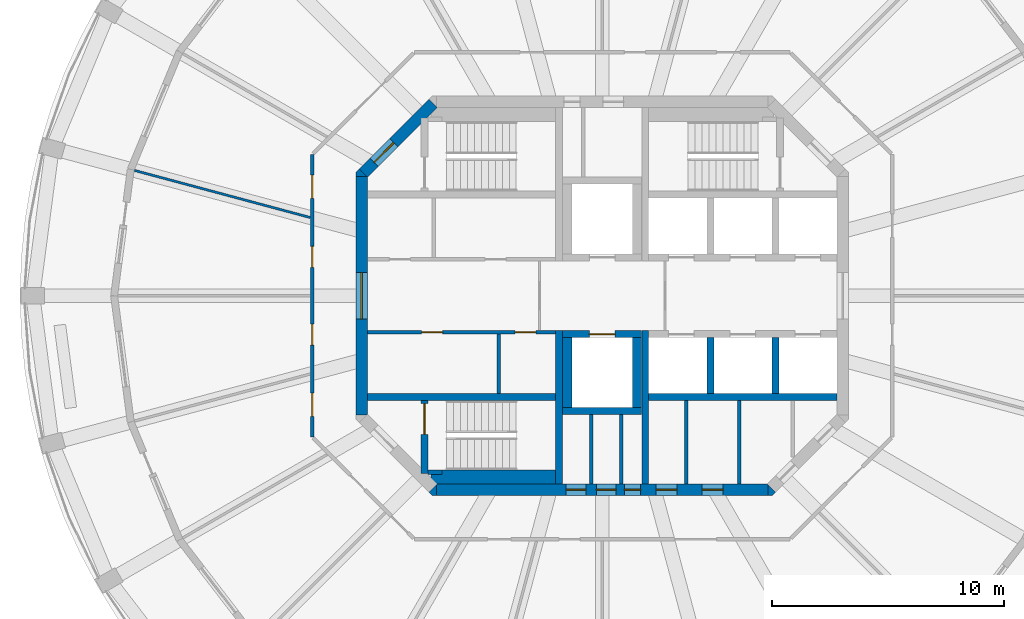
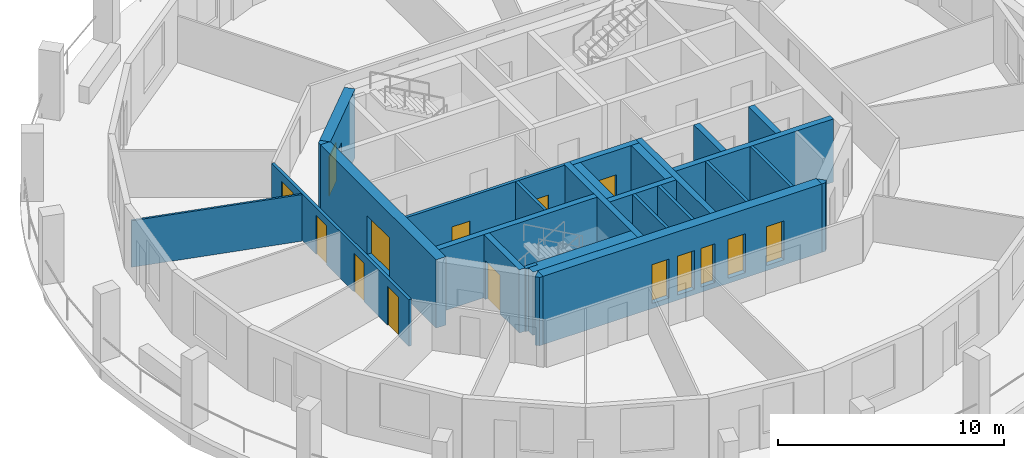
# One storey, part 3 of 9: 27 walls, 15 doors, 15 openings.
"""IFC4 building model written with IfcOpenShell, lengths in metres."""

from ifc_helpers import new_model, si_unit, direction, frame, frame_2d, origin, place, context, subcontext, project, spatial, polyline, rectangle, outline, extrude, material, layer, layer_set, type_object, element, fill, save


model = new_model("IFC4")

# Units and contexts
model_context = context("Model", 3, precision=1e-05, world=origin(), true_north=direction((0.0, 1.0)))
body_context = subcontext(model_context, "Body", "Model", "MODEL_VIEW")
ifc_project = project(units=[si_unit("LENGTHUNIT", "METRE"), si_unit("AREAUNIT", "SQUARE_METRE"), si_unit("VOLUMEUNIT", "CUBIC_METRE"), si_unit("PLANEANGLEUNIT", "RADIAN"), si_unit("MASSUNIT", "GRAM", prefix="KILO")], contexts=[model_context])

# Site, building, storey
site_placement = place(None, origin())
site = spatial("IfcSite", under=ifc_project, at=site_placement, CompositionType="ELEMENT")
building_placement = place(site_placement, origin())
building = spatial("IfcBuilding", under=site, at=building_placement, Name="Torre Triforio", CompositionType="ELEMENT")
storey_placement = place(building_placement, frame((0.0, 0.0, 272.300048828125)))
storey = spatial("IfcBuildingStorey", under=building, at=storey_placement, Name="L63", CompositionType="ELEMENT", Elevation=272.300048828125)

# Walls
ifc_material_1 = material(Name="Concrete C40", Category="concrete")
ifc_layer_1 = layer(ifc_material_1, 0.300048828125)
ifc_layer_set_1 = layer_set([ifc_layer_1], Name="Concrete C40")
wall_type_1 = type_object("IfcWallType", Name="Core wall 300 mm C40 EI 120", PredefinedType="SHEAR", material=ifc_layer_set_1)
for number, where, z_axis, x_axis, name in (
    (1, (-1.85009765625, -8.10009765625, 0.0), (0.0, 0.0, 1.0), (0.0, 1.0, 0.0), "Core wall"),
    (2, (1.85009765625, -8.10009765625, 0.0), (0.0, 0.0, 1.0), (0.0, 1.0, 0.0), "Core wall"),
):
    element("IfcWall", number, at=place(storey_placement, frame(where, z_axis=z_axis, x_axis=x_axis)), inside=storey, type_object=wall_type_1, Name=name, PredefinedType="SHEAR", context=body_context, shape_type="SweptSolid", body=[
        extrude(rectangle(XDim=6.60009765625, YDim=0.300048828125, at=frame_2d((3.300048828125, 0.0))), origin(), (0.0, 0.0, 1.0), 3.419921875),
    ])

# Wall, openings, doors
ifc_layer_2 = layer(ifc_material_1, 0.5)
ifc_layer_set_2 = layer_set([ifc_layer_2], Name="Concrete C40")
wall_type_2 = type_object("IfcWallType", Name="Core wall 500 mm C40 EI 120", PredefinedType="SHEAR", material=ifc_layer_set_2)
wall_1_placement = place(storey_placement, frame((-7.1298828125, -8.35009765625, -0.280029296875), z_axis=(0.0, 0.0, 1.0), x_axis=(1.0, 0.0, 0.0)))
wall_1 = element("IfcWall", 3, at=wall_1_placement, inside=storey, type_object=wall_type_2, Name="Core wall", PredefinedType="SHEAR", context=body_context, shape_type="SweptSolid", body=[
    extrude(rectangle(XDim=14.259765625, YDim=0.5, at=frame_2d((7.1298828125, 0.0))), origin(), (0.0, 0.0, 1.0), 3.699951171875),
])
opening_1_placement = place(wall_1_placement, frame((8.080078125, 0.0, 0.280029296875)))
opening_1 = element("IfcOpeningElement", 4, at=opening_1_placement, cuts=wall_1, Name="Opening RISER-S", PredefinedType="OPENING", context=body_context, shape_type="SweptSolid", body=[
    extrude(rectangle(XDim=0.699951171875, YDim=2.10009765625, at=frame_2d((0.35009765625, 1.050048828125))), frame((0.0, 0.260009765625, 0.0), z_axis=(0.0, -1.0, 0.0), x_axis=(1.0, 0.0, 0.0)), (0.0, 0.0, 1.0), 0.52001953125),
])
opening_2_placement = place(wall_1_placement, frame((5.580078125, 0.0, 0.280029296875)))
opening_2 = element("IfcOpeningElement", 5, at=opening_2_placement, cuts=wall_1, Name="Opening SW-01A", PredefinedType="OPENING", context=body_context, shape_type="SweptSolid", body=[
    extrude(rectangle(XDim=0.85009765625, YDim=2.10009765625, at=frame_2d((0.425048828125, 1.050048828125))), frame((0.0, 0.260009765625, 0.0), z_axis=(0.0, -1.0, 0.0), x_axis=(1.0, 0.0, 0.0)), (0.0, 0.0, 1.0), 0.52001953125),
])
opening_3_placement = place(wall_1_placement, frame((6.8798828125, 0.0, 0.280029296875)))
opening_3 = element("IfcOpeningElement", 6, at=opening_3_placement, cuts=wall_1, Name="Opening SW-02", PredefinedType="OPENING", context=body_context, shape_type="SweptSolid", body=[
    extrude(rectangle(XDim=0.85009765625, YDim=2.10009765625, at=frame_2d((0.425048828125, 1.050048828125))), frame((0.0, 0.260009765625, 0.0), z_axis=(0.0, -1.0, 0.0), x_axis=(1.0, 0.0, 0.0)), (0.0, 0.0, 1.0), 0.52001953125),
])
opening_4_placement = place(wall_1_placement, frame((9.445068359375, 0.0, 0.280029296875)))
opening_4 = element("IfcOpeningElement", 7, at=opening_4_placement, cuts=wall_1, Name="Opening SE-01A", PredefinedType="OPENING", context=body_context, shape_type="SweptSolid", body=[
    extrude(rectangle(XDim=0.89990234375, YDim=2.10009765625, at=frame_2d((0.449951171875, 1.050048828125))), frame((0.0, 0.260009765625, 0.0), z_axis=(0.0, -1.0, 0.0), x_axis=(1.0, 0.0, 0.0)), (0.0, 0.0, 1.0), 0.52001953125),
])
opening_5_placement = place(wall_1_placement, frame((11.430908203125, 0.0, 0.280029296875)))
opening_5 = element("IfcOpeningElement", 8, at=opening_5_placement, cuts=wall_1, Name="Opening SE-02", PredefinedType="OPENING", context=body_context, shape_type="SweptSolid", body=[
    extrude(rectangle(XDim=0.89990234375, YDim=2.10009765625, at=frame_2d((0.449951171875, 1.050048828125))), frame((0.0, 0.260009765625, 0.0), z_axis=(0.0, -1.0, 0.0), x_axis=(1.0, 0.0, 0.0)), (0.0, 0.0, 1.0), 0.52001953125),
])
ifc_material_2 = material(Name="Hollow metal fire door leaf")
door_type_1 = type_object("IfcDoorType", Name="Riser door 700 x 2100 EI 60", OperationType="NOTDEFINED", PredefinedType="DOOR", material=ifc_material_2)
door_1_placement = place(opening_1_placement, origin())
door_1 = element("IfcDoor", 9, at=door_1_placement, inside=storey, type_object=door_type_1, Name="Core door RISER-S", OperationType="SINGLE_SWING_RIGHT", OverallHeight=2.10009765625, OverallWidth=0.699951171875, PredefinedType="DOOR", context=body_context, shape_type="SweptSolid", body=[
    extrude(rectangle(XDim=0.699951171875, YDim=2.10009765625, at=frame_2d((0.35009765625, 1.050048828125))), frame((0.0, 0.02490234375, 0.0), z_axis=(0.0, -1.0, 0.0), x_axis=(1.0, 0.0, 0.0)), (0.0, 0.0, 1.0), 0.050048828125),
])
fill(opening_1, door_1)
door_type_2 = type_object("IfcDoorType", Name="Room door 850 x 2100 EI 60", OperationType="NOTDEFINED", PredefinedType="DOOR", material=ifc_material_2)
door_2_placement = place(opening_2_placement, origin())
door_2 = element("IfcDoor", 10, at=door_2_placement, inside=storey, type_object=door_type_2, Name="Core door SW-01", OperationType="SINGLE_SWING_RIGHT", OverallHeight=2.10009765625, OverallWidth=0.85009765625, PredefinedType="DOOR", context=body_context, shape_type="SweptSolid", body=[
    extrude(rectangle(XDim=0.85009765625, YDim=2.10009765625, at=frame_2d((0.425048828125, 1.050048828125))), frame((0.0, 0.02490234375, 0.0), z_axis=(0.0, -1.0, 0.0), x_axis=(1.0, 0.0, 0.0)), (0.0, 0.0, 1.0), 0.050048828125),
])
fill(opening_2, door_2)
door_3_placement = place(opening_3_placement, origin())
door_3 = element("IfcDoor", 11, at=door_3_placement, inside=storey, type_object=door_type_2, Name="Core door SW-02", OperationType="SINGLE_SWING_LEFT", OverallHeight=2.10009765625, OverallWidth=0.85009765625, PredefinedType="DOOR", context=body_context, shape_type="SweptSolid", body=[
    extrude(rectangle(XDim=0.85009765625, YDim=2.10009765625, at=frame_2d((0.425048828125, 1.050048828125))), frame((0.0, 0.02490234375, 0.0), z_axis=(0.0, -1.0, 0.0), x_axis=(1.0, 0.0, 0.0)), (0.0, 0.0, 1.0), 0.050048828125),
])
fill(opening_3, door_3)
door_type_3 = type_object("IfcDoorType", Name="Room door 900 x 2100 EI 60", OperationType="NOTDEFINED", PredefinedType="DOOR", material=ifc_material_2)
door_4_placement = place(opening_4_placement, origin())
door_4 = element("IfcDoor", 12, at=door_4_placement, inside=storey, type_object=door_type_3, Name="Core door SE-01", OperationType="SINGLE_SWING_RIGHT", OverallHeight=2.10009765625, OverallWidth=0.89990234375, PredefinedType="DOOR", context=body_context, shape_type="SweptSolid", body=[
    extrude(rectangle(XDim=0.89990234375, YDim=2.10009765625, at=frame_2d((0.449951171875, 1.050048828125))), frame((0.0, 0.02490234375, 0.0), z_axis=(0.0, -1.0, 0.0), x_axis=(1.0, 0.0, 0.0)), (0.0, 0.0, 1.0), 0.050048828125),
])
fill(opening_4, door_4)
door_5_placement = place(opening_5_placement, origin())
door_5 = element("IfcDoor", 13, at=door_5_placement, inside=storey, type_object=door_type_3, Name="Core door SE-02", OperationType="SINGLE_SWING_LEFT", OverallHeight=2.10009765625, OverallWidth=0.89990234375, PredefinedType="DOOR", context=body_context, shape_type="SweptSolid", body=[
    extrude(rectangle(XDim=0.89990234375, YDim=2.10009765625, at=frame_2d((0.449951171875, 1.050048828125))), frame((0.0, 0.02490234375, 0.0), z_axis=(0.0, -1.0, 0.0), x_axis=(1.0, 0.0, 0.0)), (0.0, 0.0, 1.0), 0.050048828125),
])
fill(opening_5, door_5)

# Wall, opening, door
wall_2_placement = place(storey_placement, frame((-10.35009765625, -5.1298828125, -0.280029296875), z_axis=(0.0, 0.0, 1.0), x_axis=(0.0, 1.0, 0.0)))
wall_2 = element("IfcWall", 14, at=wall_2_placement, inside=storey, type_object=wall_type_2, Name="Core wall", PredefinedType="SHEAR", context=body_context, shape_type="SweptSolid", body=[
    extrude(rectangle(XDim=10.259765625, YDim=0.5, at=frame_2d((5.1298828125, 0.0))), origin(), (0.0, 0.0, 1.0), 3.699951171875),
])
opening_6_placement = place(wall_2_placement, frame((4.1298828125, 0.0, 0.280029296875)))
opening_6 = element("IfcOpeningElement", 15, at=opening_6_placement, cuts=wall_2, Name="Opening W-RING", PredefinedType="OPENING", context=body_context, shape_type="SweptSolid", body=[
    extrude(rectangle(XDim=2.0, YDim=2.10009765625, at=frame_2d((1.0, 1.050048828125))), frame((0.0, 0.260009765625, 0.0), z_axis=(0.0, -1.0, 0.0), x_axis=(1.0, 0.0, 0.0)), (0.0, 0.0, 1.0), 0.52001953125),
])
door_type_4 = type_object("IfcDoorType", Name="Lobby door 2000 x 2100 EI 60", OperationType="DOUBLE_DOOR_SINGLE_SWING", PredefinedType="DOOR", material=ifc_material_2)
door_6_placement = place(opening_6_placement, origin())
door_6 = element("IfcDoor", 16, at=door_6_placement, inside=storey, type_object=door_type_4, Name="Core door W-RING", OperationType="DOUBLE_DOOR_SINGLE_SWING", OverallHeight=2.10009765625, OverallWidth=2.0, PredefinedType="DOOR", context=body_context, shape_type="SweptSolid", body=[
    extrude(rectangle(XDim=2.0, YDim=2.10009765625, at=frame_2d((1.0, 1.050048828125))), frame((0.0, 0.02490234375, 0.0), z_axis=(0.0, -1.0, 0.0), x_axis=(1.0, 0.0, 0.0)), (0.0, 0.0, 1.0), 0.050048828125),
])
fill(opening_6, door_6)

wall_3_placement = place(storey_placement, frame((-10.27685546875, 5.27685546875, -0.280029296875), z_axis=(0.0, 0.0, 1.0), x_axis=(0.707106781187, 0.707106781187, 0.0)))
wall_3 = element("IfcWall", 17, at=wall_3_placement, inside=storey, type_object=wall_type_2, Name="Core wall", PredefinedType="SHEAR", context=body_context, shape_type="SweptSolid", body=[
    extrude(rectangle(XDim=4.24267578125, YDim=0.5, at=frame_2d((2.121337890625, 0.0))), origin(), (0.0, 0.0, 1.0), 3.699951171875),
])
opening_7_placement = place(wall_3_placement, frame((0.64990234375, 0.0, 0.280029296875)))
opening_7 = element("IfcOpeningElement", 18, at=opening_7_placement, cuts=wall_3, Name="Opening ST1-EXIT", PredefinedType="OPENING", context=body_context, shape_type="SweptSolid", body=[
    extrude(rectangle(XDim=1.199951171875, YDim=2.10009765625, at=frame_2d((0.60009765625, 1.050048828125))), frame((0.0, 0.260009765625, 0.0), z_axis=(0.0, -1.0, 0.0), x_axis=(1.0, 0.0, 0.0)), (0.0, 0.0, 1.0), 0.52001953125),
])
door_type_5 = type_object("IfcDoorType", Name="Stair lobby door 1200 x 2100 EI 60", OperationType="NOTDEFINED", PredefinedType="DOOR", material=ifc_material_2)
door_7_placement = place(opening_7_placement, origin())
door_7 = element("IfcDoor", 19, at=door_7_placement, inside=storey, type_object=door_type_5, Name="Core door ST1-EXIT", OperationType="SINGLE_SWING_RIGHT", OverallHeight=2.10009765625, OverallWidth=1.199951171875, PredefinedType="DOOR", context=body_context, shape_type="SweptSolid", body=[
    extrude(rectangle(XDim=1.199951171875, YDim=2.10009765625, at=frame_2d((0.60009765625, 1.050048828125))), frame((0.0, 0.02490234375, 0.0), z_axis=(0.0, -1.0, 0.0), x_axis=(1.0, 0.0, 0.0)), (0.0, 0.0, 1.0), 0.050048828125),
])
fill(opening_7, door_7)

# Walls
wall_4_placement = place(storey_placement, frame((0.0, 0.0, -0.280029296875)))
element("IfcWall", 20, at=wall_4_placement, inside=storey, type_object=wall_type_2, Name="Core wall", PredefinedType="SHEAR", context=body_context, shape_type="SweptSolid", body=[
    extrude(outline(polyline([(-7.30712890625, -8.60009765625), (-7.45361328125, -8.45361328125), (-7.1298828125, -8.1298828125), (-7.1298828125, -8.60009765625), (-7.30712890625, -8.60009765625)])), origin(), (0.0, 0.0, 1.0), 3.699951171875),
])
wall_5_placement = place(storey_placement, frame((0.0, 0.0, -0.280029296875)))
element("IfcWall", 21, at=wall_5_placement, inside=storey, type_object=wall_type_2, Name="Core wall", PredefinedType="SHEAR", context=body_context, shape_type="SweptSolid", body=[
    extrude(outline(polyline([(7.30712890625, -8.60009765625), (7.1298828125, -8.60009765625), (7.1298828125, -8.1298828125), (7.45361328125, -8.45361328125), (7.30712890625, -8.60009765625)])), origin(), (0.0, 0.0, 1.0), 3.699951171875),
])
wall_6_placement = place(storey_placement, frame((0.0, 0.0, -0.280029296875)))
element("IfcWall", 22, at=wall_6_placement, inside=storey, type_object=wall_type_2, Name="Core wall", PredefinedType="SHEAR", context=body_context, shape_type="SweptSolid", body=[
    extrude(outline(polyline([(-10.45361328125, 5.45361328125), (-10.1298828125, 5.1298828125), (-10.60009765625, 5.1298828125), (-10.60009765625, 5.30712890625), (-10.45361328125, 5.45361328125)])), origin(), (0.0, 0.0, 1.0), 3.699951171875),
])

# Wall, openings, doors
ifc_material_3 = material(Name="Plasterboard on metal studs")
ifc_layer_3 = layer(ifc_material_3, 0.14990234375)
ifc_layer_set_3 = layer_set([ifc_layer_3], Name="Plasterboard on metal studs")
wall_type_3 = type_object("IfcWallType", Name="Corridor and tenancy wall 150 mm EI 60", PredefinedType="PARTITIONING", material=ifc_layer_set_3)
wall_7_placement = place(storey_placement, frame((-12.47509765625, -6.083740234375, 0.0), z_axis=(0.0, 0.0, 1.0), x_axis=(0.0, 1.0, 0.0)))
wall_7 = element("IfcWall", 23, at=wall_7_placement, inside=storey, type_object=wall_type_3, Name="Partition 4", PredefinedType="PARTITIONING", context=body_context, shape_type="SweptSolid", body=[
    extrude(rectangle(XDim=12.16748046875, YDim=0.14990234375, at=frame_2d((6.083740234375, 0.0))), origin(), (0.0, 0.0, 1.0), 2.52001953125),
])
opening_8_placement = place(wall_7_placement, frame((10.27197265625, 0.0, 0.0)))
opening_8 = element("IfcOpeningElement", 24, at=opening_8_placement, cuts=wall_7, Name="Opening E2-13", PredefinedType="OPENING", context=body_context, shape_type="SweptSolid", body=[
    extrude(rectangle(XDim=1.0, YDim=2.10009765625, at=frame_2d((0.5, 1.050048828125))), frame((0.0, 0.0849609375, 0.0), z_axis=(0.0, -1.0, 0.0), x_axis=(1.0, 0.0, 0.0)), (0.0, 0.0, 1.0), 0.169921875),
])
opening_9_placement = place(wall_7_placement, frame((7.305908203125, 0.0, 0.0)))
opening_9 = element("IfcOpeningElement", 25, at=opening_9_placement, cuts=wall_7, Name="Opening E2-14", PredefinedType="OPENING", context=body_context, shape_type="SweptSolid", body=[
    extrude(rectangle(XDim=0.89990234375, YDim=2.10009765625, at=frame_2d((0.449951171875, 1.050048828125))), frame((0.0, 0.0849609375, 0.0), z_axis=(0.0, -1.0, 0.0), x_axis=(1.0, 0.0, 0.0)), (0.0, 0.0, 1.0), 0.169921875),
])
opening_10_placement = place(wall_7_placement, frame((3.96142578125, 0.0, 0.0)))
opening_10 = element("IfcOpeningElement", 26, at=opening_10_placement, cuts=wall_7, Name="Opening E2-15", PredefinedType="OPENING", context=body_context, shape_type="SweptSolid", body=[
    extrude(rectangle(XDim=0.89990234375, YDim=2.10009765625, at=frame_2d((0.449951171875, 1.050048828125))), frame((0.0, 0.0849609375, 0.0), z_axis=(0.0, -1.0, 0.0), x_axis=(1.0, 0.0, 0.0)), (0.0, 0.0, 1.0), 0.169921875),
])
opening_11_placement = place(wall_7_placement, frame((0.8955078125, 0.0, 0.0)))
opening_11 = element("IfcOpeningElement", 27, at=opening_11_placement, cuts=wall_7, Name="Opening E2-16", PredefinedType="OPENING", context=body_context, shape_type="SweptSolid", body=[
    extrude(rectangle(XDim=1.0, YDim=2.10009765625, at=frame_2d((0.5, 1.050048828125))), frame((0.0, 0.0849609375, 0.0), z_axis=(0.0, -1.0, 0.0), x_axis=(1.0, 0.0, 0.0)), (0.0, 0.0, 1.0), 0.169921875),
])
ifc_material_4 = material(Name="Timber", Category="wood")
door_type_6 = type_object("IfcDoorType", Name="Door 1000 x 2100 single leaf EI 30", OperationType="NOTDEFINED", PredefinedType="DOOR", material=ifc_material_4)
door_8_placement = place(opening_8_placement, origin())
door_8 = element("IfcDoor", 28, at=door_8_placement, inside=storey, type_object=door_type_6, Name="Door E2-13", OperationType="SINGLE_SWING_LEFT", OverallHeight=2.10009765625, OverallWidth=1.0, PredefinedType="DOOR", context=body_context, shape_type="SweptSolid", body=[
    extrude(rectangle(XDim=1.0, YDim=2.10009765625, at=frame_2d((0.5, 1.050048828125))), frame((0.0, 0.02490234375, 0.0), z_axis=(0.0, -1.0, 0.0), x_axis=(1.0, 0.0, 0.0)), (0.0, 0.0, 1.0), 0.050048828125),
])
fill(opening_8, door_8)
door_9_placement = place(opening_11_placement, origin())
door_9 = element("IfcDoor", 29, at=door_9_placement, inside=storey, type_object=door_type_6, Name="Door E2-16", OperationType="SINGLE_SWING_LEFT", OverallHeight=2.10009765625, OverallWidth=1.0, PredefinedType="DOOR", context=body_context, shape_type="SweptSolid", body=[
    extrude(rectangle(XDim=1.0, YDim=2.10009765625, at=frame_2d((0.5, 1.050048828125))), frame((0.0, 0.02490234375, 0.0), z_axis=(0.0, -1.0, 0.0), x_axis=(1.0, 0.0, 0.0)), (0.0, 0.0, 1.0), 0.050048828125),
])
fill(opening_11, door_9)
door_type_7 = type_object("IfcDoorType", Name="Door 900 x 2100 single leaf EI 30", OperationType="NOTDEFINED", PredefinedType="DOOR", material=ifc_material_4)
door_10_placement = place(opening_9_placement, origin())
door_10 = element("IfcDoor", 30, at=door_10_placement, inside=storey, type_object=door_type_7, Name="Door E2-14", OperationType="SINGLE_SWING_LEFT", OverallHeight=2.10009765625, OverallWidth=0.89990234375, PredefinedType="DOOR", context=body_context, shape_type="SweptSolid", body=[
    extrude(rectangle(XDim=0.89990234375, YDim=2.10009765625, at=frame_2d((0.449951171875, 1.050048828125))), frame((0.0, 0.02490234375, 0.0), z_axis=(0.0, -1.0, 0.0), x_axis=(1.0, 0.0, 0.0)), (0.0, 0.0, 1.0), 0.050048828125),
])
fill(opening_9, door_10)
door_11_placement = place(opening_10_placement, origin())
door_11 = element("IfcDoor", 31, at=door_11_placement, inside=storey, type_object=door_type_7, Name="Door E2-15", OperationType="SINGLE_SWING_RIGHT", OverallHeight=2.10009765625, OverallWidth=0.89990234375, PredefinedType="DOOR", context=body_context, shape_type="SweptSolid", body=[
    extrude(rectangle(XDim=0.89990234375, YDim=2.10009765625, at=frame_2d((0.449951171875, 1.050048828125))), frame((0.0, 0.02490234375, 0.0), z_axis=(0.0, -1.0, 0.0), x_axis=(1.0, 0.0, 0.0)), (0.0, 0.0, 1.0), 0.050048828125),
])
fill(opening_10, door_11)

# Walls
ifc_layer_4 = layer(ifc_material_3, 0.10009765625)
ifc_layer_set_4 = layer_set([ifc_layer_4], Name="Plasterboard on metal studs")
wall_type_4 = type_object("IfcWallType", Name="Partition 100 mm board on metal studs", PredefinedType="PARTITIONING", material=ifc_layer_set_4)
wall_8_placement = place(storey_placement, frame((-12.564208984375, 3.36669921875, 0.0), z_axis=(0.0, 0.0, 1.0), x_axis=(-0.965933576344, 0.258790119773, 0.0)))
element("IfcWall", 32, at=wall_8_placement, inside=storey, type_object=wall_type_4, Name="Partition 16", PredefinedType="PARTITIONING", context=body_context, shape_type="SweptSolid", body=[
    extrude(rectangle(XDim=7.8291015625, YDim=0.10009765625, at=frame_2d((3.91455078125, 0.0))), origin(), (0.0, 0.0, 1.0), 2.52001953125),
])
ifc_material_5 = material(Name="Block and board partition")
ifc_layer_5 = layer(ifc_material_5, 0.14990234375)
ifc_layer_set_5 = layer_set([ifc_layer_5], Name="Block and board partition")
wall_type_5 = type_object("IfcWallType", Name="Partition 150 mm", PredefinedType="PARTITIONING", material=ifc_layer_set_5)
wall_9_placement = place(storey_placement, frame((-0.47509765625, -8.10009765625, 0.0), z_axis=(0.0, 0.0, 1.0), x_axis=(0.0, 1.0, 0.0)))
element("IfcWall", 33, at=wall_9_placement, inside=storey, type_object=wall_type_5, Name="Partition", PredefinedType="PARTITIONING", context=body_context, shape_type="SweptSolid", body=[
    extrude(rectangle(XDim=3.0, YDim=0.14990234375, at=frame_2d((1.5, 0.0))), origin(), (0.0, 0.0, 1.0), 3.419921875),
])
for number, where, z_axis, x_axis, name in (
    (34, (3.60498046875, -8.10009765625, 0.0), (0.0, 0.0, 1.0), (0.0, 1.0, 0.0), "Partition"),
    (35, (5.89697265625, -8.10009765625, 0.0), (0.0, 0.0, 1.0), (0.0, 1.0, 0.0), "Partition"),
):
    element("IfcWall", number, at=place(storey_placement, frame(where, z_axis=z_axis, x_axis=x_axis)), inside=storey, type_object=wall_type_5, Name=name, PredefinedType="PARTITIONING", context=body_context, shape_type="SweptSolid", body=[
        extrude(rectangle(XDim=3.60009765625, YDim=0.14990234375, at=frame_2d((1.800048828125, 0.0))), origin(), (0.0, 0.0, 1.0), 3.419921875),
    ])
wall_10_placement = place(storey_placement, frame((-4.4599609375, -4.199951171875, 0.0), z_axis=(0.0, 0.0, 1.0), x_axis=(0.0, 1.0, 0.0)))
element("IfcWall", 36, at=wall_10_placement, inside=storey, type_object=wall_type_5, Name="Partition", PredefinedType="PARTITIONING", context=body_context, shape_type="SweptSolid", body=[
    extrude(rectangle(XDim=2.550048828125, YDim=0.14990234375, at=frame_2d((1.27490234375, 0.0))), origin(), (0.0, 0.0, 1.0), 3.419921875),
])
ifc_layer_6 = layer(ifc_material_5, 0.14990234375)
ifc_layer_set_6 = layer_set([ifc_layer_6], Name="Block and board partition")
wall_type_6 = type_object("IfcWallType", Name="Partition 150 mm EI 120", PredefinedType="PARTITIONING", material=ifc_layer_set_6)
wall_11_placement = place(storey_placement, frame((0.824951171875, -8.10009765625, 0.0), z_axis=(0.0, 0.0, 1.0), x_axis=(0.0, 1.0, 0.0)))
element("IfcWall", 37, at=wall_11_placement, inside=storey, type_object=wall_type_6, Name="Partition", PredefinedType="PARTITIONING", context=body_context, shape_type="SweptSolid", body=[
    extrude(rectangle(XDim=3.0, YDim=0.14990234375, at=frame_2d((1.5, 0.0))), origin(), (0.0, 0.0, 1.0), 3.419921875),
])

# Wall, openings, doors
wall_12_placement = place(storey_placement, frame((-10.10009765625, -1.574951171875, 0.0), z_axis=(0.0, 0.0, 1.0), x_axis=(1.0, 0.0, 0.0)))
wall_12 = element("IfcWall", 38, at=wall_12_placement, inside=storey, type_object=wall_type_6, Name="Partition", PredefinedType="PARTITIONING", context=body_context, shape_type="SweptSolid", body=[
    extrude(rectangle(XDim=8.10009765625, YDim=0.14990234375, at=frame_2d((4.050048828125, 0.0))), origin(), (0.0, 0.0, 1.0), 3.419921875),
])
opening_12_placement = place(wall_12_placement, frame((2.33251953125, 0.0, 0.0)))
opening_12 = element("IfcOpeningElement", 39, at=opening_12_placement, cuts=wall_12, Name="Opening FS-01", PredefinedType="OPENING", context=body_context, shape_type="SweptSolid", body=[
    extrude(rectangle(XDim=0.89990234375, YDim=2.10009765625, at=frame_2d((0.449951171875, 1.050048828125))), frame((0.0, 0.0849609375, 0.0), z_axis=(0.0, -1.0, 0.0), x_axis=(1.0, 0.0, 0.0)), (0.0, 0.0, 1.0), 0.169921875),
])
opening_13_placement = place(wall_12_placement, frame((6.35009765625, 0.0, 0.0)))
opening_13 = element("IfcOpeningElement", 40, at=opening_13_placement, cuts=wall_12, Name="Opening FS-02A", PredefinedType="OPENING", context=body_context, shape_type="SweptSolid", body=[
    extrude(rectangle(XDim=0.89990234375, YDim=2.10009765625, at=frame_2d((0.449951171875, 1.050048828125))), frame((0.0, 0.0849609375, 0.0), z_axis=(0.0, -1.0, 0.0), x_axis=(1.0, 0.0, 0.0)), (0.0, 0.0, 1.0), 0.169921875),
])
door_type_8 = type_object("IfcDoorType", Name="Plant room door 900 x 2100 EI 60", OperationType="NOTDEFINED", PredefinedType="DOOR", material=ifc_material_2)
door_12_placement = place(opening_13_placement, origin())
door_12 = element("IfcDoor", 41, at=door_12_placement, inside=storey, type_object=door_type_8, Name="Core door FS-02", OperationType="SINGLE_SWING_LEFT", OverallHeight=2.10009765625, OverallWidth=0.89990234375, PredefinedType="DOOR", context=body_context, shape_type="SweptSolid", body=[
    extrude(rectangle(XDim=0.89990234375, YDim=2.10009765625, at=frame_2d((0.449951171875, 1.050048828125))), frame((0.0, 0.02490234375, 0.0), z_axis=(0.0, -1.0, 0.0), x_axis=(1.0, 0.0, 0.0)), (0.0, 0.0, 1.0), 0.050048828125),
])
fill(opening_13, door_12)
door_13_placement = place(opening_12_placement, origin())
door_13 = element("IfcDoor", 42, at=door_13_placement, inside=storey, type_object=door_type_3, Name="Core door FS-01", OperationType="SINGLE_SWING_LEFT", OverallHeight=2.10009765625, OverallWidth=0.89990234375, PredefinedType="DOOR", context=body_context, shape_type="SweptSolid", body=[
    extrude(rectangle(XDim=0.89990234375, YDim=2.10009765625, at=frame_2d((0.449951171875, 1.050048828125))), frame((0.0, 0.02490234375, 0.0), z_axis=(0.0, -1.0, 0.0), x_axis=(1.0, 0.0, 0.0)), (0.0, 0.0, 1.0), 0.050048828125),
])
fill(opening_12, door_13)

# Walls
ifc_layer_7 = layer(ifc_material_1, 0.300048828125)
ifc_layer_set_7 = layer_set([ifc_layer_7], Name="Concrete C40")
wall_type_7 = type_object("IfcWallType", Name="Shaft wall 300 mm C40 EI 120", PredefinedType="SOLIDWALL", material=ifc_layer_set_7)
for number, where, z_axis, x_axis, name in (
    (43, (-10.10009765625, -4.35009765625, 0.0), (0.0, 0.0, 1.0), (1.0, 0.0, 0.0), "Shaft wall"),
    (44, (2.0, -4.35009765625, 0.0), (0.0, 0.0, 1.0), (1.0, 0.0, 0.0), "Shaft wall"),
):
    element("IfcWall", number, at=place(storey_placement, frame(where, z_axis=z_axis, x_axis=x_axis)), inside=storey, type_object=wall_type_7, Name=name, PredefinedType="SOLIDWALL", context=body_context, shape_type="SweptSolid", body=[
        extrude(rectangle(XDim=8.10009765625, YDim=0.300048828125, at=frame_2d((4.050048828125, 0.0))), origin(), (0.0, 0.0, 1.0), 3.419921875),
    ])
for number, where, z_axis, x_axis, name in (
    (45, (4.64990234375, -4.199951171875, 0.0), (0.0, 0.0, 1.0), (0.0, 1.0, 0.0), "Shaft wall"),
    (46, (7.449951171875, -4.199951171875, 0.0), (0.0, 0.0, 1.0), (0.0, 1.0, 0.0), "Shaft wall"),
):
    element("IfcWall", number, at=place(storey_placement, frame(where, z_axis=z_axis, x_axis=x_axis)), inside=storey, type_object=wall_type_7, Name=name, PredefinedType="SOLIDWALL", context=body_context, shape_type="SweptSolid", body=[
        extrude(rectangle(XDim=2.39990234375, YDim=0.300048828125, at=frame_2d((1.199951171875, 0.0))), origin(), (0.0, 0.0, 1.0), 3.419921875),
    ])

# Wall, opening, door
wall_13_placement = place(storey_placement, frame((-1.699951171875, -1.64990234375, 0.0), z_axis=(0.0, 0.0, 1.0), x_axis=(1.0, 0.0, 0.0)))
wall_13 = element("IfcWall", 47, at=wall_13_placement, inside=storey, type_object=wall_type_7, Name="Shaft wall", PredefinedType="SOLIDWALL", context=body_context, shape_type="SweptSolid", body=[
    extrude(rectangle(XDim=3.39990234375, YDim=0.300048828125, at=frame_2d((1.699951171875, 0.0))), origin(), (0.0, 0.0, 1.0), 3.419921875),
])
opening_14_placement = place(wall_13_placement, frame((1.14990234375, 0.0, 0.0)))
opening_14 = element("IfcOpeningElement", 48, at=opening_14_placement, cuts=wall_13, Name="Opening LD", PredefinedType="OPENING", context=body_context, shape_type="SweptSolid", body=[
    extrude(rectangle(XDim=1.10009765625, YDim=2.10009765625, at=frame_2d((0.550048828125, 1.050048828125))), frame((0.0, 0.159912109375, 0.0), z_axis=(0.0, -1.0, 0.0), x_axis=(1.0, 0.0, 0.0)), (0.0, 0.0, 1.0), 0.320068359375),
])
door_type_9 = type_object("IfcDoorType", Name="Landing door 1100 x 2100 EI 60", OperationType="DOUBLE_DOOR_SLIDING", PredefinedType="DOOR", material=ifc_material_2)
door_14_placement = place(opening_14_placement, origin())
door_14 = element("IfcDoor", 49, at=door_14_placement, inside=storey, type_object=door_type_9, Name="Landing door FFL2", OperationType="DOUBLE_DOOR_SLIDING", OverallHeight=2.10009765625, OverallWidth=1.10009765625, PredefinedType="DOOR", context=body_context, shape_type="SweptSolid", body=[
    extrude(rectangle(XDim=1.10009765625, YDim=2.10009765625, at=frame_2d((0.550048828125, 1.050048828125))), frame((0.0, 0.02490234375, 0.0), z_axis=(0.0, -1.0, 0.0), x_axis=(1.0, 0.0, 0.0)), (0.0, 0.0, 1.0), 0.050048828125),
])
fill(opening_14, door_14)

# Walls
wall_14_placement = place(storey_placement, frame((-1.699951171875, -4.949951171875, 0.0), z_axis=(0.0, 0.0, 1.0), x_axis=(1.0, 0.0, 0.0)))
element("IfcWall", 50, at=wall_14_placement, inside=storey, type_object=wall_type_7, Name="Shaft wall", PredefinedType="SOLIDWALL", context=body_context, shape_type="SweptSolid", body=[
    extrude(rectangle(XDim=3.39990234375, YDim=0.300048828125, at=frame_2d((1.699951171875, 0.0))), origin(), (0.0, 0.0, 1.0), 3.419921875),
])
ifc_layer_8 = layer(ifc_material_1, 0.39990234375)
ifc_layer_set_8 = layer_set([ifc_layer_8], Name="Concrete C40")
wall_type_8 = type_object("IfcWallType", Name="Shaft wall 400 mm C40 EI 120", PredefinedType="SOLIDWALL", material=ifc_layer_set_8)
for number, where, z_axis, x_axis, name in (
    (51, (-1.5, -4.800048828125, 0.0), (0.0, 0.0, 1.0), (0.0, 1.0, 0.0), "Shaft wall"),
    (52, (1.5, -4.800048828125, 0.0), (0.0, 0.0, 1.0), (0.0, 1.0, 0.0), "Shaft wall"),
):
    element("IfcWall", number, at=place(storey_placement, frame(where, z_axis=z_axis, x_axis=x_axis)), inside=storey, type_object=wall_type_8, Name=name, PredefinedType="SOLIDWALL", context=body_context, shape_type="SweptSolid", body=[
        extrude(rectangle(XDim=3.0, YDim=0.39990234375, at=frame_2d((1.5, 0.0))), origin(), (0.0, 0.0, 1.0), 3.419921875),
    ])
ifc_layer_9 = layer(ifc_material_1, 0.199951171875)
ifc_layer_set_9 = layer_set([ifc_layer_9], Name="Concrete C40")
wall_type_9 = type_object("IfcWallType", Name="Stair wall 200 mm C40 EI 120", PredefinedType="SHEAR", material=ifc_layer_set_9)
wall_15_placement = place(storey_placement, frame((-7.5, -7.60009765625, 0.0), z_axis=(0.0, 0.0, 1.0), x_axis=(1.0, 0.0, 0.0)))
element("IfcWall", 53, at=wall_15_placement, inside=storey, type_object=wall_type_9, Name="Stair wall", PredefinedType="SHEAR", context=body_context, shape_type="SweptSolid", body=[
    extrude(rectangle(XDim=0.60009765625, YDim=0.199951171875, at=frame_2d((0.300048828125, 0.0))), origin(), (0.0, 0.0, 1.0), 3.419921875),
])

# Wall, opening, door
ifc_layer_10 = layer(ifc_material_1, 0.300048828125)
ifc_layer_set_10 = layer_set([ifc_layer_10], Name="Concrete C40")
wall_type_10 = type_object("IfcWallType", Name="Stair wall 300 mm C40 EI 120", PredefinedType="SHEAR", material=ifc_layer_set_10)
wall_16_placement = place(storey_placement, frame((-7.64990234375, -7.639892578125, 0.0), z_axis=(0.0, 0.0, 1.0), x_axis=(0.0, 1.0, 0.0)))
wall_16 = element("IfcWall", 54, at=wall_16_placement, inside=storey, type_object=wall_type_10, Name="Stair wall", PredefinedType="SHEAR", context=body_context, shape_type="SweptSolid", body=[
    extrude(rectangle(XDim=3.139892578125, YDim=0.300048828125, at=frame_2d((1.56982421875, 0.0))), origin(), (0.0, 0.0, 1.0), 3.419921875),
])
opening_15_placement = place(wall_16_placement, frame((1.679931640625, 0.0, 0.0)))
opening_15 = element("IfcOpeningElement", 55, at=opening_15_placement, cuts=wall_16, Name="Opening ST3-STA", PredefinedType="OPENING", context=body_context, shape_type="SweptSolid", body=[
    extrude(rectangle(XDim=1.320068359375, YDim=2.10009765625, at=frame_2d((0.66015625, 1.050048828125))), frame((0.0, 0.159912109375, 0.0), z_axis=(0.0, -1.0, 0.0), x_axis=(1.0, 0.0, 0.0)), (0.0, 0.0, 1.0), 0.320068359375),
])
door_type_10 = type_object("IfcDoorType", Name="Stair door 1320 x 2100 EI 90", OperationType="DOUBLE_DOOR_SINGLE_SWING", PredefinedType="DOOR", material=ifc_material_2)
door_15_placement = place(opening_15_placement, origin())
door_15 = element("IfcDoor", 56, at=door_15_placement, inside=storey, type_object=door_type_10, Name="Core door ST3-ST", OperationType="DOUBLE_DOOR_SINGLE_SWING", OverallHeight=2.10009765625, OverallWidth=1.320068359375, PredefinedType="DOOR", context=body_context, shape_type="SweptSolid", body=[
    extrude(rectangle(XDim=1.320068359375, YDim=2.10009765625, at=frame_2d((0.66015625, 1.050048828125))), frame((0.0, 0.02490234375, 0.0), z_axis=(0.0, -1.0, 0.0), x_axis=(1.0, 0.0, 0.0)), (0.0, 0.0, 1.0), 0.050048828125),
])
fill(opening_15, door_15)

# Wall
ifc_layer_11 = layer(ifc_material_1, 0.60009765625)
ifc_layer_set_11 = layer_set([ifc_layer_11], Name="Concrete C40")
wall_type_11 = type_object("IfcWallType", Name="Stair wall 600 mm C40 EI 120", PredefinedType="SHEAR", material=ifc_layer_set_11)
wall_17_placement = place(storey_placement, frame((-7.3701171875, -7.800048828125, 0.0), z_axis=(0.0, 0.0, 1.0), x_axis=(1.0, 0.0, 0.0)))
element("IfcWall", 57, at=wall_17_placement, inside=storey, type_object=wall_type_11, Name="Stair wall", PredefinedType="SHEAR", context=body_context, shape_type="SweptSolid", body=[
    extrude(rectangle(XDim=5.3701171875, YDim=0.60009765625, at=frame_2d((2.68505859375, 0.0))), origin(), (0.0, 0.0, 1.0), 3.419921875),
])

save(model, "model.ifc")
